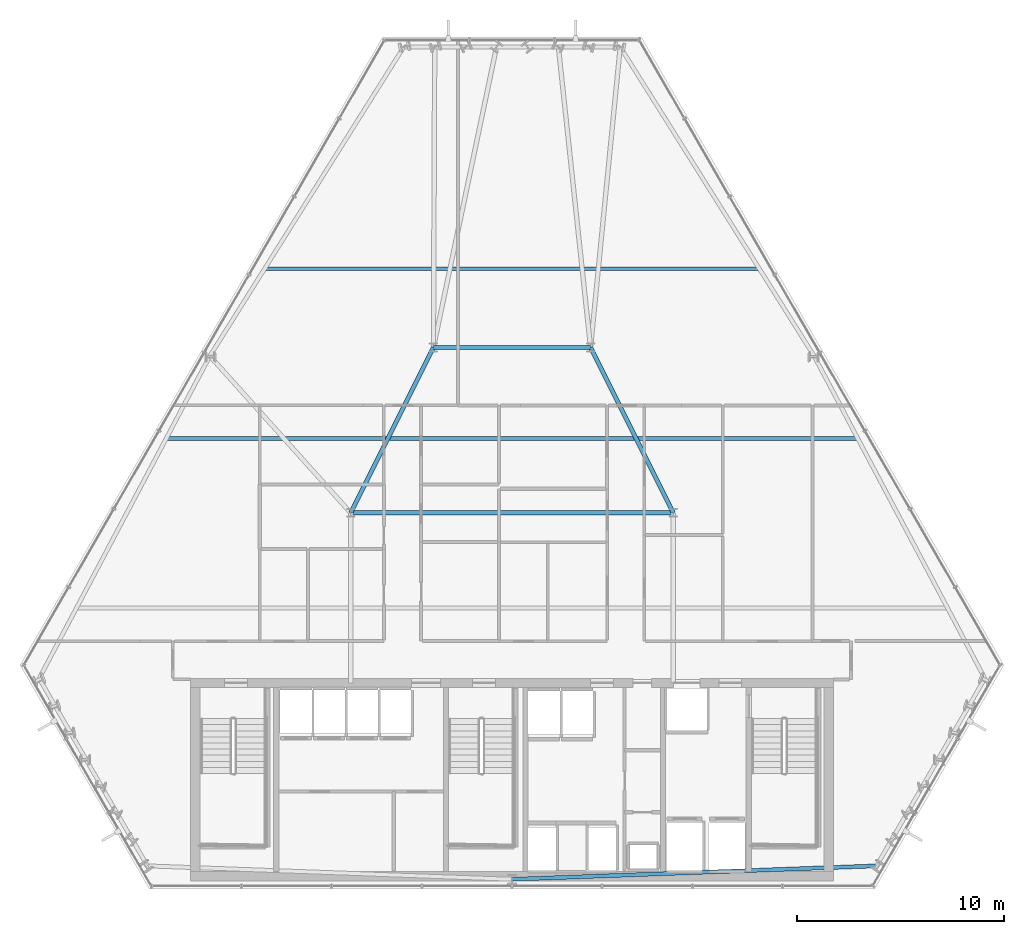
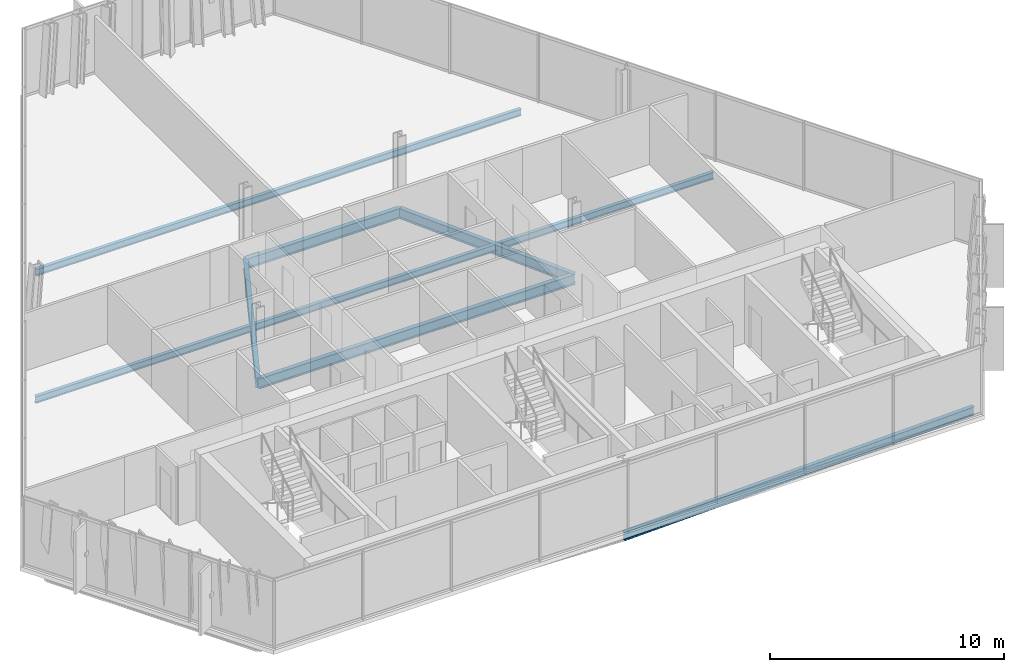
# One storey, part 14 of 32: 7 beams.
"""IFC4 building model written with IfcOpenShell, lengths in metres."""

from ifc_helpers import new_model, si_unit, direction, frame, origin, origin_2d, place, context, subcontext, project, spatial, i_section, extrude, material, material_profile, profile_set, type_object, element, save


model = new_model("IFC4")

# Units and contexts
model_context = context("Model", 3, precision=1e-05, world=origin(), true_north=direction((0.0, 1.0)))
body_context = subcontext(model_context, "Body", "Model", "MODEL_VIEW")
ifc_project = project(units=[si_unit("LENGTHUNIT", "METRE"), si_unit("AREAUNIT", "SQUARE_METRE"), si_unit("VOLUMEUNIT", "CUBIC_METRE"), si_unit("PLANEANGLEUNIT", "RADIAN"), si_unit("MASSUNIT", "GRAM", prefix="KILO")], contexts=[model_context])

# Site, building, storey
site_placement = place(None, origin())
site = spatial("IfcSite", under=ifc_project, at=site_placement, CompositionType="ELEMENT")
building_placement = place(site_placement, origin())
building = spatial("IfcBuilding", under=site, at=building_placement, Name="Ndaravel Arena Tower", CompositionType="ELEMENT")
storey_placement = place(building_placement, frame((0.0, 0.0, 134.60009765625)))
storey = spatial("IfcBuildingStorey", under=building, at=storey_placement, Name="L31", CompositionType="ELEMENT", Elevation=134.60009765625)

# Beams
ifc_material_1 = material(Name="Steel S355", Category="steel")
ifc_material_profile_1 = material_profile(ifc_material_1, i_section(OverallWidth=0.210693359375, OverallDepth=0.53955078125, WebThickness=0.01171875, FlangeThickness=0.018798828125, FilletRadius=0.0126953125, at=origin_2d()), Name="UB 533x210x109")
ifc_profile_set_1 = profile_set([ifc_material_profile_1], Name="Steel S355")
beam_type_1 = type_object("IfcBeamType", Name="BM-GIRD-UB533", PredefinedType="BEAM", material=ifc_profile_set_1)
beam_1_placement = place(storey_placement, frame((34.199951171875, 23.199951171875, -0.48974609375), z_axis=(1.0, 0.0, 0.0), x_axis=(0.0, 1.0, 0.0)))
element("IfcBeam", 1, at=beam_1_placement, inside=storey, type_object=beam_type_1, Name="L31 Spine Link Girder SLG-03", PredefinedType="BEAM", context=body_context, shape_type="SweptSolid", body=[
    extrude(i_section(OverallWidth=0.210693359375, OverallDepth=0.53955078125, WebThickness=0.01171875, FlangeThickness=0.018798828125, FilletRadius=0.0126953125, at=origin_2d()), origin(), (0.0, 0.0, 1.0), 15.60009765625),
])
for number, where, z_axis, x_axis, name in (
    (2, (34.199951171875, 23.199951171875, -0.48974609375), (0.4472135955, 0.894427191, 0.0), (-0.894427191, 0.4472135955, 0.0), "L31 Spine Link Girder SLG-04"),
    (3, (49.800048828125, 23.199951171875, -0.48974609375), (-0.4472135955, 0.894427191, 0.0), (-0.894427191, -0.4472135955, 0.0), "L31 Spine Link Girder SLG-05"),
):
    element("IfcBeam", number, at=place(storey_placement, frame(where, z_axis=z_axis, x_axis=x_axis)), inside=storey, type_object=beam_type_1, Name=name, PredefinedType="BEAM", context=body_context, shape_type="SweptSolid", body=[
        extrude(i_section(OverallWidth=0.210693359375, OverallDepth=0.53955078125, WebThickness=0.01171875, FlangeThickness=0.018798828125, FilletRadius=0.0126953125, at=origin_2d()), origin(), (0.0, 0.0, 1.0), 8.9443359375),
    ])
beam_2_placement = place(storey_placement, frame((38.199951171875, 31.199951171875, -0.48974609375), z_axis=(1.0, 0.0, 0.0), x_axis=(0.0, 1.0, 0.0)))
element("IfcBeam", 4, at=beam_2_placement, inside=storey, type_object=beam_type_1, Name="L31 Spine Link Girder SLG-06", PredefinedType="BEAM", context=body_context, shape_type="SweptSolid", body=[
    extrude(i_section(OverallWidth=0.210693359375, OverallDepth=0.53955078125, WebThickness=0.01171875, FlangeThickness=0.018798828125, FilletRadius=0.0126953125, at=origin_2d()), origin(), (0.0, 0.0, 1.0), 7.60009765625),
])
ifc_material_2 = material(Name="Steel S355", Category="steel")
ifc_material_profile_2 = material_profile(ifc_material_2, i_section(OverallWidth=0.172119140625, OverallDepth=0.35791015625, WebThickness=0.008056640625, FlangeThickness=0.012939453125, FilletRadius=0.01025390625, at=origin_2d()), Name="UB 356x171x57")
ifc_profile_set_2 = profile_set([ifc_material_profile_2], Name="Steel S355")
beam_type_2 = type_object("IfcBeamType", Name="BM-JOIST-UB356", PredefinedType="JOIST", material=ifc_profile_set_2)
beam_3_placement = place(storey_placement, frame((25.276611328125, 26.800048828125, -0.399169921875), z_axis=(1.0, 0.0, 0.0), x_axis=(0.0, 1.0, 0.0)))
element("IfcBeam", 5, at=beam_3_placement, inside=storey, type_object=beam_type_2, Name="L31 Composite Floor Joist FJ-02", PredefinedType="JOIST", context=body_context, shape_type="SweptSolid", body=[
    extrude(i_section(OverallWidth=0.172119140625, OverallDepth=0.35791015625, WebThickness=0.008056640625, FlangeThickness=0.012939453125, FilletRadius=0.01025390625, at=origin_2d()), origin(), (0.0, 0.0, 1.0), 33.44677734375),
])
beam_4_placement = place(storey_placement, frame((30.0302734375, 35.0, -0.399169921875), z_axis=(1.0, 0.0, 0.0), x_axis=(0.0, 1.0, 0.0)))
element("IfcBeam", 6, at=beam_4_placement, inside=storey, type_object=beam_type_2, Name="L31 Composite Floor Joist FJ-03", PredefinedType="JOIST", context=body_context, shape_type="SweptSolid", body=[
    extrude(i_section(OverallWidth=0.172119140625, OverallDepth=0.35791015625, WebThickness=0.008056640625, FlangeThickness=0.012939453125, FilletRadius=0.01025390625, at=origin_2d()), origin(), (0.0, 0.0, 1.0), 23.939453125),
])
ifc_material_3 = material(Name="Steel S355", Category="steel")
ifc_material_profile_3 = material_profile(ifc_material_3, i_section(OverallWidth=0.18994140625, OverallDepth=0.449951171875, WebThickness=0.009521484375, FlangeThickness=0.0146484375, FilletRadius=0.02099609375, at=origin_2d()), Name="IPE 450")
ifc_profile_set_3 = profile_set([ifc_material_profile_3], Name="Steel S355")
beam_type_3 = type_object("IfcBeamType", Name="BM-SPAN-IPE450", PredefinedType="SPANDREL", material=ifc_profile_set_3)
beam_5_placement = place(storey_placement, frame((42.0, 5.47998046875, -0.445068359375), z_axis=(0.999326102031, 0.036706154797, 0.0), x_axis=(-0.036706154797, 0.999326102031, 0.0)))
element("IfcBeam", 7, at=beam_5_placement, inside=storey, type_object=beam_type_3, Name="L31 Perimeter Spandrel Beam SP-01", PredefinedType="SPANDREL", context=body_context, shape_type="SweptSolid", body=[
    extrude(i_section(OverallWidth=0.18994140625, OverallDepth=0.449951171875, WebThickness=0.009521484375, FlangeThickness=0.0146484375, FilletRadius=0.02099609375, at=origin_2d()), origin(), (0.0, 0.0, 1.0), 17.645751953125),
])

save(model, "model.ifc")
